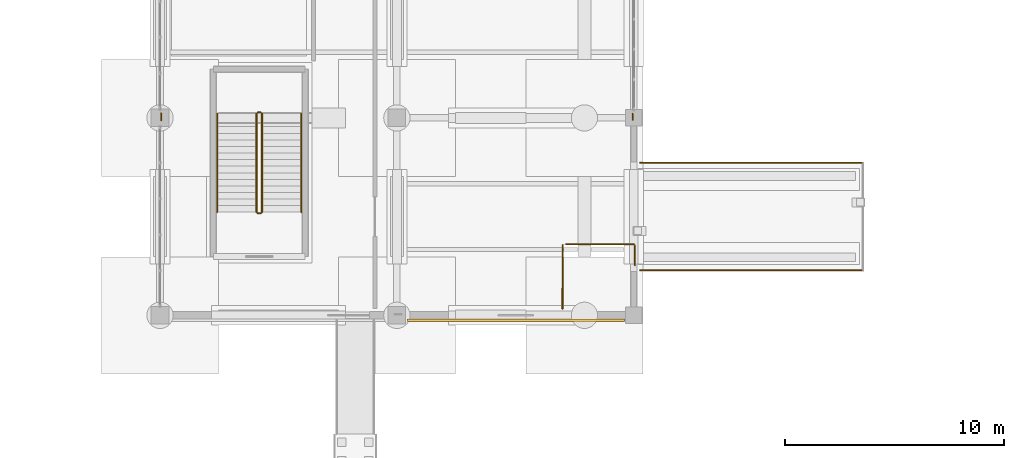
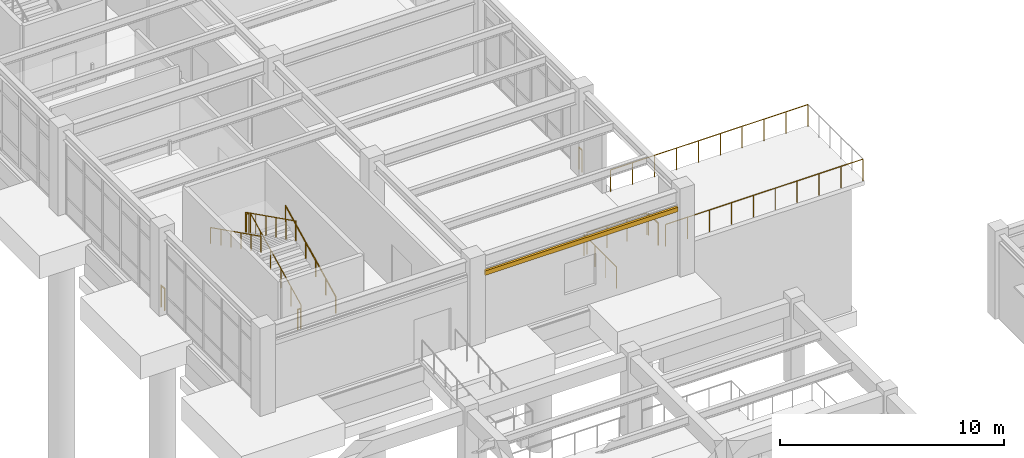
# One storey, part 92 of 98: 13 railings, 1 covering.
"""IFC4 building model written with IfcOpenShell, lengths in metres."""

import ifcopenshell
import ifcopenshell.guid

model = None  # the IFC model being written
_history = None  # IfcOwnerHistory: only IFC2X3 demands one
_inside = {}  # id of a spatial element -> (the spatial element, [elements in it])
_under = {}  # id of a project, library or spatial element -> (it, [spatial elements below it])
_declared = {}  # id of a project -> (the project, [libraries it declares])
_typed = {}  # id of a type object -> (the type object, [elements of that type])
_made_of = {}  # id of a material, layer set ... -> (it, [elements and type objects made of it])


def new_model(schema):
    """Start an empty IFC model of exactly this schema.

    Asked for "IFC4X3", IfcOpenShell would pick the latest addendum, in which some entities
    have other attributes; the version numbers below select the first issue.
    IFC2X3 requires an IfcOwnerHistory on every rooted entity: one is made here for all.
    """
    global model, _history
    if schema == "IFC4X3":
        model = ifcopenshell.file(schema_version=(4, 3, 0, 0))
    else:
        model = ifcopenshell.file(schema=schema)
    _inside.clear()
    _under.clear()
    _declared.clear()
    _typed.clear()
    _made_of.clear()
    _history = None
    if model.schema == "IFC2X3":
        org = make("IfcOrganization", Name="unknown")
        user = make(
            "IfcPersonAndOrganization",
            ThePerson=make("IfcPerson", FamilyName="unknown"),
            TheOrganization=org,
        )
        app = make(
            "IfcApplication",
            ApplicationDeveloper=org,
            Version="unknown",
            ApplicationFullName="unknown",
            ApplicationIdentifier="unknown",
        )
        _history = make(
            "IfcOwnerHistory",
            OwningUser=user,
            OwningApplication=app,
            ChangeAction="ADDED",
            CreationDate=0,
        )
    return model


def make(cls, **values):
    """One entity of the class cls with the attributes given. An attribute that is None is left unset."""
    return model.create_entity(
        cls, **{name: value for name, value in values.items() if value is not None}
    )


def rooted(cls, **values):
    """An entity with a GlobalId (a new one), such as an element, a storey or a relation."""
    return make(cls, GlobalId=ifcopenshell.guid.new(), OwnerHistory=_history, **values)


def si_unit(unit_type, name, prefix=None):
    """IfcSIUnit, for example si_unit("LENGTHUNIT", "METRE", prefix="MILLI")."""
    return make("IfcSIUnit", UnitType=unit_type, Prefix=prefix, Name=name)


def assignment(units):
    """IfcUnitAssignment: the units of a project."""
    return None if units is None else make("IfcUnitAssignment", Units=units)


def point(xyz):
    """IfcCartesianPoint."""
    return None if xyz is None else make("IfcCartesianPoint", Coordinates=xyz)


def direction(xyz):
    """IfcDirection."""
    return None if xyz is None else make("IfcDirection", DirectionRatios=xyz)


def frame(location, z_axis=None, x_axis=None):
    """IfcAxis2Placement3D, a coordinate frame: its origin and axes. An axis left out is left unset."""
    return make(
        "IfcAxis2Placement3D",
        Location=point(location),
        Axis=direction(z_axis),
        RefDirection=direction(x_axis),
    )


def frame_2d(location, x_axis=None):
    """IfcAxis2Placement2D, a coordinate frame in the plane: its origin and x axis."""
    return make(
        "IfcAxis2Placement2D", Location=point(location), RefDirection=direction(x_axis)
    )


def origin():
    """The frame at (0, 0, 0) with its axes left unset."""
    return frame((0.0, 0.0, 0.0))


def origin_2d():
    """The frame at (0, 0) in the plane with its x axis left unset."""
    return frame_2d((0.0, 0.0))


def place(relative_to, where):
    """IfcLocalPlacement: puts the frame where relative to a parent placement (None: the world)."""
    return make(
        "IfcLocalPlacement", PlacementRelTo=relative_to, RelativePlacement=where
    )


def context(
    kind, dimensions, precision=None, world=None, true_north=None, identifier=None
):
    """IfcGeometricRepresentationContext, for example the 3D "Model" context."""
    return make(
        "IfcGeometricRepresentationContext",
        ContextIdentifier=identifier,
        ContextType=kind,
        CoordinateSpaceDimension=dimensions,
        Precision=precision,
        WorldCoordinateSystem=world,
        TrueNorth=true_north,
    )


def subcontext(parent, identifier, kind, view, scale=None):
    """IfcGeometricRepresentationSubContext, for example "Body" below "Model"."""
    return make(
        "IfcGeometricRepresentationSubContext",
        ContextIdentifier=identifier,
        ContextType=kind,
        ParentContext=parent,
        TargetScale=scale,
        TargetView=view,
    )


def project(units=None, contexts=None):
    """IfcProject with its units and contexts."""
    return rooted(
        "IfcProject",
        Name="project",
        RepresentationContexts=contexts,
        UnitsInContext=assignment(units),
    )


def spatial(cls, under=None, at=None, **own):
    """A site, building, storey or space (cls), placed at a placement, below another one or the project."""
    s = rooted(cls, ObjectPlacement=at, **own)
    if under is not None:
        _under.setdefault(under.id(), (under, []))[1].append(s)
    return s


def profile(cls, at=None, kind="AREA", **sizes):
    """A parametric profile (cls). Its sizes go by their IFC names, for example OverallWidth=200.0."""
    return make(cls, ProfileType=kind, Position=at, **sizes)


def rectangle(**sizes):
    """IfcRectangleProfileDef."""
    return profile("IfcRectangleProfileDef", **sizes)


def circle(**sizes):
    """IfcCircleProfileDef."""
    return profile("IfcCircleProfileDef", **sizes)


def extrude(swept, where, along, depth):
    """IfcExtrudedAreaSolid: the profile swept, set in the frame where, extruded along a direction by depth."""
    return make(
        "IfcExtrudedAreaSolid",
        SweptArea=swept,
        Position=where,
        ExtrudedDirection=direction(along),
        Depth=depth,
    )


def shape(context_of_items, identifier, shape_type, items):
    """IfcShapeRepresentation: the items that make up one representation, for example the "Body"."""
    return make(
        "IfcShapeRepresentation",
        ContextOfItems=context_of_items,
        RepresentationIdentifier=identifier,
        RepresentationType=shape_type,
        Items=items,
    )


def material(Name=None, Category=None):
    """IfcMaterial."""
    return make("IfcMaterial", Name=Name, Category=Category)


def layer(
    of_material, thickness, ventilated=None, Name=None, Category=None, Priority=None
):
    """IfcMaterialLayer: one layer of a wall or slab, of a material (None: an air gap)."""
    return make(
        "IfcMaterialLayer",
        Material=of_material,
        LayerThickness=thickness,
        IsVentilated=ventilated,
        Name=Name,
        Category=Category,
        Priority=Priority,
    )


def layer_set(layers, Name=None):
    """IfcMaterialLayerSet."""
    return make("IfcMaterialLayerSet", MaterialLayers=layers, LayerSetName=Name)


def made_of(thing, what):
    """Note that an element or type object is made of a material, layer set ...; save() writes the relation."""
    if what is not None:
        _made_of.setdefault(what.id(), (what, []))[1].append(thing)
    return thing


def type_object(cls, material=None, **own):
    """A type object (cls), such as IfcWallType, which elements share."""
    return made_of(rooted(cls, **own), material)


def element(
    cls,
    number,
    at=None,
    inside=None,
    cuts=None,
    type_object=None,
    material=None,
    context=None,
    identifier="Body",
    shape_type=None,
    held_by="IfcProductDefinitionShape",
    body=None,
    shapes=None,
    **own,
):
    """One element of the class cls, such as IfcWall. Its Tag is "e" and its number.

    at: its placement. inside: the storey or other place that contains it. cuts: it is an
    opening in that element (IfcRelVoidsElement). A single representation is given by context,
    identifier, shape_type and body (its items); several are given by shapes. held_by: the class
    of the entity that holds the representations. save() writes the other relations.
    """
    e = rooted(cls, Tag="e%d" % number, ObjectPlacement=at, **own)
    if body is not None:
        shapes = [shape(context, identifier, shape_type, body)]
    if shapes is not None:
        e.Representation = make(held_by, Representations=shapes)
    if inside is not None:
        _inside.setdefault(inside.id(), (inside, []))[1].append(e)
    if cuts is not None:
        rooted(
            "IfcRelVoidsElement", RelatingBuildingElement=cuts, RelatedOpeningElement=e
        )
    if type_object is not None:
        _typed.setdefault(type_object.id(), (type_object, []))[1].append(e)
    return made_of(e, material)


def aggregate(whole, parts):
    """IfcRelAggregates: a whole, such as a stair, and the parts it consists of."""
    return rooted("IfcRelAggregates", RelatingObject=whole, RelatedObjects=parts)


def save(model, path):
    """Write the relations noted so far, then the file.

    IfcRelAggregates (storeys below a building ...), IfcRelContainedInSpatialStructure (elements
    in a storey), IfcRelDefinesByType, IfcRelAssociatesMaterial and IfcRelDeclares: one each for
    every whole, place, type object, material and project.
    """
    for whole, parts in _under.values():
        aggregate(whole, parts)
    for where, things in _inside.values():
        rooted(
            "IfcRelContainedInSpatialStructure",
            RelatedElements=things,
            RelatingStructure=where,
        )
    for kind, things in _typed.values():
        rooted("IfcRelDefinesByType", RelatedObjects=things, RelatingType=kind)
    for what, things in _made_of.values():
        rooted("IfcRelAssociatesMaterial", RelatedObjects=things, RelatingMaterial=what)
    for by, libraries in _declared.values():
        rooted("IfcRelDeclares", RelatingContext=by, RelatedDefinitions=libraries)
    model.write(path)


model = new_model("IFC4")

# Units and contexts
model_context = context("Model", 3, precision=1e-05, world=origin(), true_north=direction((0.0, 1.0)))
body_context = subcontext(model_context, "Body", "Model", "MODEL_VIEW")
ifc_project = project(units=[si_unit("LENGTHUNIT", "METRE"), si_unit("AREAUNIT", "SQUARE_METRE"), si_unit("VOLUMEUNIT", "CUBIC_METRE"), si_unit("PLANEANGLEUNIT", "RADIAN"), si_unit("MASSUNIT", "GRAM", prefix="KILO")], contexts=[model_context])

# Site, building, storey
site_placement = place(None, origin())
site = spatial("IfcSite", under=ifc_project, at=site_placement, CompositionType="ELEMENT")
building_placement = place(site_placement, origin())
building = spatial("IfcBuilding", under=site, at=building_placement, Name="Canglan Escarpment Cableway Terminal", CompositionType="ELEMENT")
storey_placement = place(building_placement, frame((0.0, 0.0, 9.60009765625)))
storey = spatial("IfcBuildingStorey", under=building, at=storey_placement, Name="L02", CompositionType="ELEMENT", Elevation=9.60009765625)

# Covering
ifc_material_1 = material(Name="Carved classical limestone cornice", Category="masonry")
ifc_layer = layer(ifc_material_1, 0.1201171875, Name="Carved classical limestone cornice")
ifc_layer_set = layer_set([ifc_layer], Name="Carved classical limestone cornice")
covering_type = type_object("IfcCoveringType", Name="COV-CORNICE-STONE", PredefinedType="CLADDING", material=ifc_layer_set)
covering_placement = place(storey_placement, frame((131.3125, 42.77001953125, 3.544921875), z_axis=(0.0, 0.0, 1.0), x_axis=(1.0, 0.0, 0.0)))
element("IfcCovering", 1, at=covering_placement, inside=storey, type_object=covering_type, Name="Classical carved limestone cornice CL-01", PredefinedType="CLADDING", context=body_context, shape_type="SweptSolid", body=[
    extrude(rectangle(XDim=9.925048828125, YDim=0.1201171875, at=origin_2d()), origin(), (0.0, 0.0, 1.0), 0.239990234375),
])

# Railings
ifc_material_2 = material(Name="Carved limestone and anodized bronze balustrade", Category="masonry")
railing_type_1 = type_object("IfcRailingType", Name="RL-EXT-BALUSTRADE-1200", PredefinedType="BALUSTRADE", material=ifc_material_2)
railing_1_placement = place(storey_placement, frame((115.14990234375, 51.889892578125, 0.0)))
element("IfcRailing", 2, at=railing_1_placement, inside=storey, type_object=railing_type_1, Name="Classical terrace balustrade guard GD-01 (L02)", PredefinedType="BALUSTRADE", context=body_context, shape_type="SweptSolid", body=[
    extrude(circle(Radius=0.02392578125, at=origin_2d()), frame((0.0, 0.0, 1.17578125), z_axis=(0.0, 1.0, 0.0), x_axis=(-1.0, 0.0, 0.0)), (0.0, 0.0, 1.0), 0.320068359375),
    extrude(circle(Radius=0.02099609375, at=origin_2d()), origin(), (0.0, 0.0, 1.0), 1.15185546875),
    extrude(circle(Radius=0.02099609375, at=origin_2d()), frame((0.0, 0.320068359375, 0.0)), (0.0, 0.0, 1.0), 1.15185546875),
])
railing_2_placement = place(storey_placement, frame((136.64990234375, 52.18505859375, 0.0)))
element("IfcRailing", 3, at=railing_2_placement, inside=storey, type_object=railing_type_1, Name="Classical terrace balustrade guard GD-01 (L02)", PredefinedType="BALUSTRADE", context=body_context, shape_type="SweptSolid", body=[
    extrude(circle(Radius=0.02392578125, at=origin_2d()), frame((0.0, 0.0, 1.17578125), z_axis=(0.0, -1.0, 0.0), x_axis=(1.0, 0.0, 0.0)), (0.0, 0.0, 1.0), 0.27001953125),
    extrude(circle(Radius=0.02099609375, at=origin_2d()), origin(), (0.0, 0.0, 1.0), 1.15185546875),
    extrude(circle(Radius=0.02099609375, at=origin_2d()), frame((0.0, -0.27001953125, 0.0)), (0.0, 0.0, 1.0), 1.15185546875),
])
railing_3_placement = place(storey_placement, frame((136.989990234375, 49.949951171875, 0.0)))
element("IfcRailing", 4, at=railing_3_placement, inside=storey, type_object=railing_type_1, Name="Classical terrace balustrade guard GD-01 (L02)", PredefinedType="BALUSTRADE", context=body_context, shape_type="SweptSolid", body=[
    extrude(circle(Radius=0.02392578125, at=origin_2d()), frame((0.0, 0.0, 1.17578125), z_axis=(1.0, 0.0, 0.0), x_axis=(0.0, 1.0, 0.0)), (0.0, 0.0, 1.0), 10.157958984375),
    extrude(circle(Radius=0.02099609375, at=origin_2d()), origin(), (0.0, 0.0, 1.0), 1.15185546875),
    extrude(circle(Radius=0.02099609375, at=origin_2d()), frame((1.128662109375, 0.0, 0.0)), (0.0, 0.0, 1.0), 1.15185546875),
    extrude(circle(Radius=0.02099609375, at=origin_2d()), frame((2.25732421875, 0.0, 0.0)), (0.0, 0.0, 1.0), 1.15185546875),
    extrude(circle(Radius=0.02099609375, at=origin_2d()), frame((3.385986328125, 0.0, 0.0)), (0.0, 0.0, 1.0), 1.15185546875),
    extrude(circle(Radius=0.02099609375, at=origin_2d()), frame((4.5146484375, 0.0, 0.0)), (0.0, 0.0, 1.0), 1.15185546875),
    extrude(circle(Radius=0.02099609375, at=origin_2d()), frame((5.643310546875, 0.0, 0.0)), (0.0, 0.0, 1.0), 1.15185546875),
    extrude(circle(Radius=0.02099609375, at=origin_2d()), frame((6.77197265625, 0.0, 0.0)), (0.0, 0.0, 1.0), 1.15185546875),
    extrude(circle(Radius=0.02099609375, at=origin_2d()), frame((7.900634765625, 0.0, 0.0)), (0.0, 0.0, 1.0), 1.15185546875),
    extrude(circle(Radius=0.02099609375, at=origin_2d()), frame((9.029296875, 0.0, 0.0)), (0.0, 0.0, 1.0), 1.15185546875),
    extrude(circle(Radius=0.02099609375, at=origin_2d()), frame((10.157958984375, 0.0, 0.0)), (0.0, 0.0, 1.0), 1.15185546875),
])
railing_4_placement = place(storey_placement, frame((147.14990234375, 45.052001953125, 0.0)))
element("IfcRailing", 5, at=railing_4_placement, inside=storey, type_object=railing_type_1, Name="Classical terrace balustrade guard GD-01 (L02)", PredefinedType="BALUSTRADE", context=body_context, shape_type="SweptSolid", body=[
    extrude(circle(Radius=0.02392578125, at=origin_2d()), frame((0.0, 0.0, 1.17578125), z_axis=(-0.999999981522, -0.000192238372, 0.0), x_axis=(0.000192238372, -0.999999981522, 0.0)), (0.0, 0.0, 1.0), 10.159912109375),
    extrude(circle(Radius=0.02099609375, at=origin_2d()), origin(), (0.0, 0.0, 1.0), 1.15185546875),
    extrude(circle(Radius=0.02099609375, at=origin_2d()), frame((-1.12890625, -0.000244140625, 0.0)), (0.0, 0.0, 1.0), 1.15185546875),
    extrude(circle(Radius=0.02099609375, at=origin_2d()), frame((-2.2578125, -0.00048828125, 0.0)), (0.0, 0.0, 1.0), 1.15185546875),
    extrude(circle(Radius=0.02099609375, at=origin_2d()), frame((-3.38671875, -0.000732421875, 0.0)), (0.0, 0.0, 1.0), 1.15185546875),
    extrude(circle(Radius=0.02099609375, at=origin_2d()), frame((-4.515625, -0.0009765625, 0.0)), (0.0, 0.0, 1.0), 1.15185546875),
    extrude(circle(Radius=0.02099609375, at=origin_2d()), frame((-5.644287109375, -0.0009765625, 0.0)), (0.0, 0.0, 1.0), 1.15185546875),
    extrude(circle(Radius=0.02099609375, at=origin_2d()), frame((-6.773193359375, -0.001220703125, 0.0)), (0.0, 0.0, 1.0), 1.15185546875),
    extrude(circle(Radius=0.02099609375, at=origin_2d()), frame((-7.902099609375, -0.00146484375, 0.0)), (0.0, 0.0, 1.0), 1.15185546875),
    extrude(circle(Radius=0.02099609375, at=origin_2d()), frame((-9.031005859375, -0.001708984375, 0.0)), (0.0, 0.0, 1.0), 1.15185546875),
    extrude(circle(Radius=0.02099609375, at=origin_2d()), frame((-10.159912109375, -0.001953125, 0.0)), (0.0, 0.0, 1.0), 1.15185546875),
])
railing_5_placement = place(storey_placement, frame((136.7548828125, 45.289794921875, 0.0)))
element("IfcRailing", 6, at=railing_5_placement, inside=storey, type_object=railing_type_1, Name="Classical terrace balustrade guard GD-01 (L02)", PredefinedType="BALUSTRADE", context=body_context, shape_type="SweptSolid", body=[
    extrude(circle(Radius=0.02392578125, at=origin_2d()), frame((0.0, 0.0, 1.17578125), z_axis=(0.0, 1.0, 0.0), x_axis=(-1.0, 0.0, 0.0)), (0.0, 0.0, 1.0), 0.880126953125),
    extrude(circle(Radius=0.02099609375, at=origin_2d()), origin(), (0.0, 0.0, 1.0), 1.15185546875),
    extrude(circle(Radius=0.02099609375, at=origin_2d()), frame((0.0, 0.880126953125, 0.0)), (0.0, 0.0, 1.0), 1.15185546875),
])
railing_6_placement = place(storey_placement, frame((136.712646484375, 46.240478515625, 0.0)))
element("IfcRailing", 7, at=railing_6_placement, inside=storey, type_object=railing_type_1, Name="Classical terrace balustrade guard GD-01 (L02)", PredefinedType="BALUSTRADE", context=body_context, shape_type="SweptSolid", body=[
    extrude(circle(Radius=0.02392578125, at=origin_2d()), frame((0.0, 0.0, 1.17578125), z_axis=(-0.999995230249, 0.003088604893, 0.0), x_axis=(-0.003088604893, -0.999995230249, 0.0)), (0.0, 0.0, 1.0), 3.082763671875),
    extrude(circle(Radius=0.02099609375, at=origin_2d()), origin(), (0.0, 0.0, 1.0), 1.15185546875),
    extrude(circle(Radius=0.02099609375, at=origin_2d()), frame((-1.027587890625, 0.003173828125, 0.0)), (0.0, 0.0, 1.0), 1.15185546875),
    extrude(circle(Radius=0.02099609375, at=origin_2d()), frame((-2.05517578125, 0.00634765625, 0.0)), (0.0, 0.0, 1.0), 1.15185546875),
    extrude(circle(Radius=0.02099609375, at=origin_2d()), frame((-3.082763671875, 0.009521484375, 0.0)), (0.0, 0.0, 1.0), 1.15185546875),
])
railing_7_placement = place(storey_placement, frame((133.4560546875, 46.20068359375, 0.0)))
element("IfcRailing", 8, at=railing_7_placement, inside=storey, type_object=railing_type_1, Name="Classical terrace balustrade guard GD-01 (L02)", PredefinedType="BALUSTRADE", context=body_context, shape_type="SweptSolid", body=[
    extrude(circle(Radius=0.02392578125, at=origin_2d()), frame((0.0, 0.0, 1.17578125), z_axis=(-0.002096958986, -0.999997801379, 0.0), x_axis=(0.999997801379, -0.002096958986, 0.0)), (0.0, 0.0, 1.0), 2.91064453125),
    extrude(circle(Radius=0.02099609375, at=origin_2d()), origin(), (0.0, 0.0, 1.0), 1.15185546875),
    extrude(circle(Radius=0.02099609375, at=origin_2d()), frame((-0.001953125, -0.97021484375, 0.0)), (0.0, 0.0, 1.0), 1.15185546875),
    extrude(circle(Radius=0.02099609375, at=origin_2d()), frame((-0.004150390625, -1.9404296875, 0.0)), (0.0, 0.0, 1.0), 1.15185546875),
    extrude(circle(Radius=0.02099609375, at=origin_2d()), frame((-0.006103515625, -2.91064453125, 0.0)), (0.0, 0.0, 1.0), 1.15185546875),
])
ifc_material_3 = material(Name="Powder-coated steel stair balustrade", Category="steel")
railing_type_2 = type_object("IfcRailingType", Name="RL-STR-GUARD-1100", PredefinedType="BALUSTRADE", material=ifc_material_3)
railing_8_placement = place(storey_placement, frame((119.75, 47.699951171875, 0.14990234375)))
element("IfcRailing", 9, at=railing_8_placement, inside=storey, type_object=railing_type_2, Name="L02 ST-10 stair guard 1", PredefinedType="BALUSTRADE", context=body_context, shape_type="SweptSolid", body=[
    extrude(circle(Radius=0.02392578125, at=origin_2d()), frame((0.0, 0.0, 1.076171875), z_axis=(0.0, 0.894427191, 0.4472135955), x_axis=(-1.0, 0.0, 0.0)), (0.0, 0.0, 1.0), 5.03125),
    extrude(circle(Radius=0.02099609375, at=origin_2d()), origin(), (0.0, 0.0, 1.0), 1.052001953125),
    extrude(circle(Radius=0.02099609375, at=origin_2d()), frame((0.0, 0.89990234375, 0.449951171875)), (0.0, 0.0, 1.0), 1.052001953125),
    extrude(circle(Radius=0.02099609375, at=origin_2d()), frame((0.0, 1.800048828125, 0.89990234375)), (0.0, 0.0, 1.0), 1.052001953125),
    extrude(circle(Radius=0.02099609375, at=origin_2d()), frame((0.0, 2.699951171875, 1.35009765625)), (0.0, 0.0, 1.0), 1.052001953125),
    extrude(circle(Radius=0.02099609375, at=origin_2d()), frame((0.0, 3.60009765625, 1.800048828125)), (0.0, 0.0, 1.0), 1.052001953125),
    extrude(circle(Radius=0.02099609375, at=origin_2d()), frame((0.0, 4.5, 2.25)), (0.0, 0.0, 1.0), 1.052001953125),
])
railing_9_placement = place(storey_placement, frame((119.699951171875, 52.25, 2.39990234375)))
element("IfcRailing", 10, at=railing_9_placement, inside=storey, type_object=railing_type_2, Name="L02 ST-10 stair guard 2", PredefinedType="BALUSTRADE", context=body_context, shape_type="SweptSolid", body=[
    extrude(circle(Radius=0.02392578125, at=origin_2d()), frame((0.0, 0.0, 1.076171875), z_axis=(-1.0, 0.0, 0.0), x_axis=(0.0, -1.0, 0.0)), (0.0, 0.0, 1.0), 0.14990234375),
    extrude(circle(Radius=0.02099609375, at=origin_2d()), origin(), (0.0, 0.0, 1.0), 1.052001953125),
    extrude(circle(Radius=0.02099609375, at=origin_2d()), frame((-0.14990234375, 0.0, 0.0)), (0.0, 0.0, 1.0), 1.052001953125),
])
railing_10_placement = place(storey_placement, frame((119.5, 52.199951171875, 2.5498046875)))
element("IfcRailing", 11, at=railing_10_placement, inside=storey, type_object=railing_type_2, Name="L02 ST-10 stair guard 3", PredefinedType="BALUSTRADE", context=body_context, shape_type="SweptSolid", body=[
    extrude(circle(Radius=0.02392578125, at=origin_2d()), frame((0.0, 0.0, 1.076171875), z_axis=(0.0, -0.894427191, 0.4472135955), x_axis=(1.0, 0.0, 0.0)), (0.0, 0.0, 1.0), 5.03125),
    extrude(circle(Radius=0.02099609375, at=origin_2d()), origin(), (0.0, 0.0, 1.0), 1.052001953125),
    extrude(circle(Radius=0.02099609375, at=origin_2d()), frame((0.0, -0.89990234375, 0.449951171875)), (0.0, 0.0, 1.0), 1.052001953125),
    extrude(circle(Radius=0.02099609375, at=origin_2d()), frame((0.0, -1.800048828125, 0.89990234375)), (0.0, 0.0, 1.0), 1.052001953125),
    extrude(circle(Radius=0.02099609375, at=origin_2d()), frame((0.0, -2.699951171875, 1.35009765625)), (0.0, 0.0, 1.0), 1.052001953125),
    extrude(circle(Radius=0.02099609375, at=origin_2d()), frame((0.0, -3.60009765625, 1.800048828125)), (0.0, 0.0, 1.0), 1.052001953125),
    extrude(circle(Radius=0.02099609375, at=origin_2d()), frame((0.0, -4.5, 2.25)), (0.0, 0.0, 1.0), 1.052001953125),
])
railing_11_placement = place(storey_placement, frame((119.699951171875, 47.64990234375, 0.0)))
element("IfcRailing", 12, at=railing_11_placement, inside=storey, type_object=railing_type_2, Name="L02 ST-10 stair guard 4", PredefinedType="BALUSTRADE", context=body_context, shape_type="SweptSolid", body=[
    extrude(circle(Radius=0.02392578125, at=origin_2d()), frame((0.0, 0.0, 1.076171875), z_axis=(-1.0, 0.0, 0.0), x_axis=(0.0, -1.0, 0.0)), (0.0, 0.0, 1.0), 0.14990234375),
    extrude(circle(Radius=0.02099609375, at=origin_2d()), origin(), (0.0, 0.0, 1.0), 1.052001953125),
    extrude(circle(Radius=0.02099609375, at=origin_2d()), frame((-0.14990234375, 0.0, 0.0)), (0.0, 0.0, 1.0), 1.052001953125),
])
ifc_material_4 = material(Name="Brushed stainless steel 304 handrail", Category="steel")
railing_type_3 = type_object("IfcRailingType", Name="RL-STR-HR-900", PredefinedType="HANDRAIL", material=ifc_material_4)
railing_12_placement = place(storey_placement, frame((121.550048828125, 47.699951171875, 0.14990234375)))
element("IfcRailing", 13, at=railing_12_placement, inside=storey, type_object=railing_type_3, Name="L02 ST-10 stair handrail 1", PredefinedType="HANDRAIL", context=body_context, shape_type="SweptSolid", body=[
    extrude(circle(Radius=0.02392578125, at=origin_2d()), frame((0.0, 0.0, 0.8759765625), z_axis=(0.0, 0.894427191, 0.4472135955), x_axis=(-1.0, 0.0, 0.0)), (0.0, 0.0, 1.0), 5.03125),
    extrude(circle(Radius=0.02099609375, at=origin_2d()), origin(), (0.0, 0.0, 1.0), 0.851806640625),
    extrude(circle(Radius=0.02099609375, at=origin_2d()), frame((0.0, 0.89990234375, 0.449951171875)), (0.0, 0.0, 1.0), 0.851806640625),
    extrude(circle(Radius=0.02099609375, at=origin_2d()), frame((0.0, 1.800048828125, 0.89990234375)), (0.0, 0.0, 1.0), 0.851806640625),
    extrude(circle(Radius=0.02099609375, at=origin_2d()), frame((0.0, 2.699951171875, 1.35009765625)), (0.0, 0.0, 1.0), 0.851806640625),
    extrude(circle(Radius=0.02099609375, at=origin_2d()), frame((0.0, 3.60009765625, 1.800048828125)), (0.0, 0.0, 1.0), 0.851806640625),
    extrude(circle(Radius=0.02099609375, at=origin_2d()), frame((0.0, 4.5, 2.25)), (0.0, 0.0, 1.0), 0.851806640625),
])
railing_13_placement = place(storey_placement, frame((117.699951171875, 52.199951171875, 2.5498046875)))
element("IfcRailing", 14, at=railing_13_placement, inside=storey, type_object=railing_type_3, Name="L02 ST-10 stair handrail 2", PredefinedType="HANDRAIL", context=body_context, shape_type="SweptSolid", body=[
    extrude(circle(Radius=0.02392578125, at=origin_2d()), frame((0.0, 0.0, 0.8759765625), z_axis=(0.0, -0.894427191, 0.4472135955), x_axis=(1.0, 0.0, 0.0)), (0.0, 0.0, 1.0), 5.03125),
    extrude(circle(Radius=0.02099609375, at=origin_2d()), origin(), (0.0, 0.0, 1.0), 0.851806640625),
    extrude(circle(Radius=0.02099609375, at=origin_2d()), frame((0.0, -0.89990234375, 0.449951171875)), (0.0, 0.0, 1.0), 0.851806640625),
    extrude(circle(Radius=0.02099609375, at=origin_2d()), frame((0.0, -1.800048828125, 0.89990234375)), (0.0, 0.0, 1.0), 0.851806640625),
    extrude(circle(Radius=0.02099609375, at=origin_2d()), frame((0.0, -2.699951171875, 1.35009765625)), (0.0, 0.0, 1.0), 0.851806640625),
    extrude(circle(Radius=0.02099609375, at=origin_2d()), frame((0.0, -3.60009765625, 1.800048828125)), (0.0, 0.0, 1.0), 0.851806640625),
    extrude(circle(Radius=0.02099609375, at=origin_2d()), frame((0.0, -4.5, 2.25)), (0.0, 0.0, 1.0), 0.851806640625),
])

save(model, "model.ifc")
